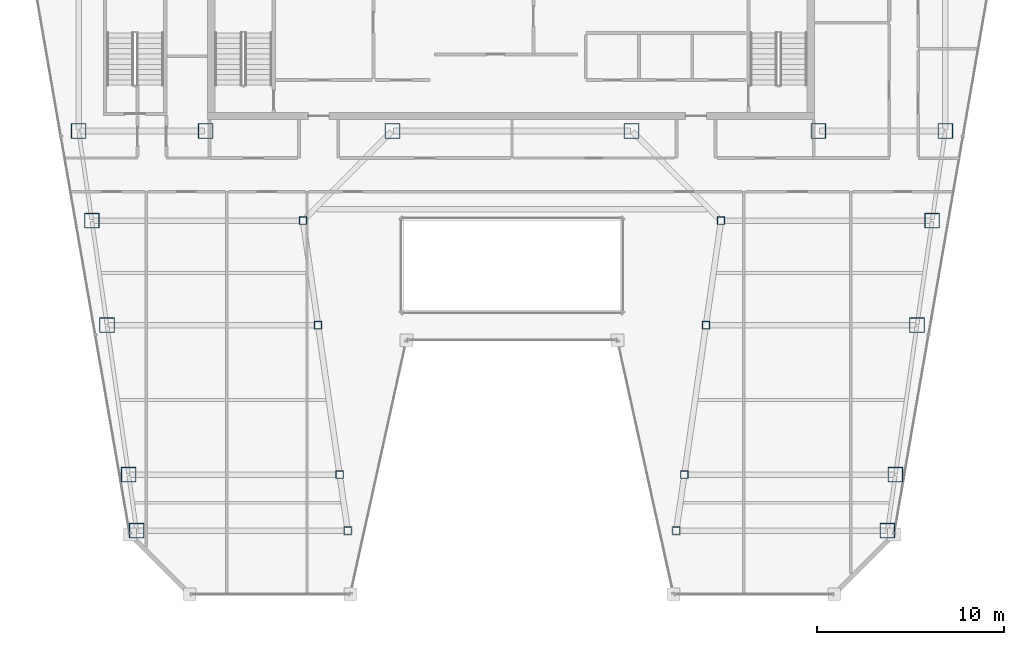
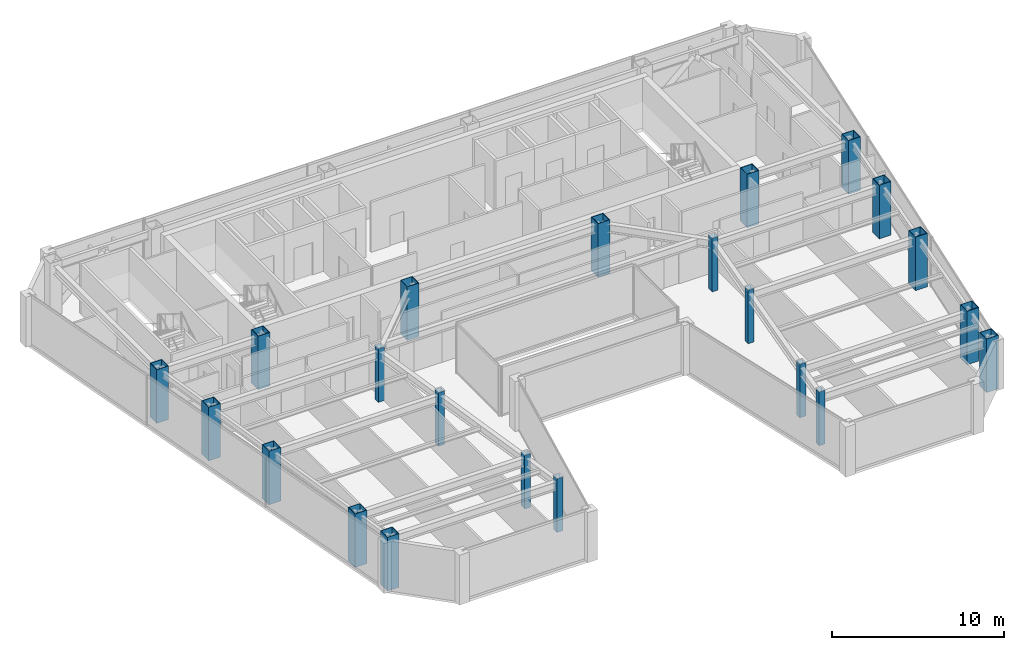
# One storey, part 1 of 33: 22 columns.
"""IFC4 building model written with IfcOpenShell, lengths in metres."""

from ifc_helpers import new_model, si_unit, direction, frame, origin, origin_2d, place, context, subcontext, project, spatial, hollow_rectangle, extrude, material, material_profile, profile_set, type_object, element, save


model = new_model("IFC4")

# Units and contexts
model_context = context("Model", 3, precision=1e-05, world=origin(), true_north=direction((0.0, 1.0)))
body_context = subcontext(model_context, "Body", "Model", "MODEL_VIEW")
ifc_project = project(units=[si_unit("LENGTHUNIT", "METRE"), si_unit("AREAUNIT", "SQUARE_METRE"), si_unit("VOLUMEUNIT", "CUBIC_METRE"), si_unit("PLANEANGLEUNIT", "RADIAN"), si_unit("MASSUNIT", "GRAM", prefix="KILO")], contexts=[model_context])

# Site, building, storey
site_placement = place(None, origin())
site = spatial("IfcSite", under=ifc_project, at=site_placement, CompositionType="ELEMENT")
building_placement = place(site_placement, origin())
building = spatial("IfcBuilding", under=site, at=building_placement, Name="Saevonmaru Cultural Tower", CompositionType="ELEMENT")
storey_placement = place(building_placement, frame((0.0, 0.0, 234.39990234375)))
storey = spatial("IfcBuildingStorey", under=building, at=storey_placement, Name="L54", CompositionType="ELEMENT", Elevation=234.39990234375)

# Columns
ifc_material_1 = material(Name="Steel SM420", Category="steel")
ifc_material_profile_1 = material_profile(ifc_material_1, hollow_rectangle(XDim=0.800048828125, YDim=0.800048828125, WallThickness=0.035888671875, at=origin_2d()), Name="BOX-800x800x36")
ifc_profile_set_1 = profile_set([ifc_material_profile_1], Name="Steel SM420")
column_type_1 = type_object("IfcColumnType", Name="COL-BOX-800", PredefinedType="COLUMN", material=ifc_profile_set_1)
for number, where, z_axis, x_axis, name in (
    (1, (6.800048828125, 42.39990234375, 0.0), (0.0, 0.0, 1.0), (1.0, 0.0, 0.0), "L54 Column TC-S1C"),
    (2, (13.60009765625, 42.39990234375, 0.0), (0.0, 0.0, 1.0), (1.0, 0.0, 0.0), "L54 Column TC-S2C"),
    (3, (23.60009765625, 42.39990234375, 0.0), (0.0, 0.0, 1.0), (1.0, 0.0, 0.0), "L54 Column TC-S3C"),
    (4, (36.39990234375, 42.39990234375, 0.0), (0.0, 0.0, 1.0), (1.0, 0.0, 0.0), "L54 Column TC-S4C"),
    (5, (46.39990234375, 42.39990234375, 0.0), (0.0, 0.0, 1.0), (1.0, 0.0, 0.0), "L54 Column TC-S5C"),
    (6, (53.199951171875, 42.39990234375, 0.0), (0.0, 0.0, 1.0), (1.0, 0.0, 0.0), "L54 Column TC-S6C"),
    (7, (9.906005859375, 21.0, 0.0), (0.0, 0.0, 1.0), (1.0, 0.0, 0.0), "L54 Column TC-WO-Y210"),
    (8, (50.093994140625, 21.0, 0.0), (0.0, 0.0, 1.0), (1.0, 0.0, 0.0), "L54 Column TC-EO-Y210"),
    (9, (9.471923828125, 24.0, 0.0), (0.0, 0.0, 1.0), (1.0, 0.0, 0.0), "L54 Column TC-WO-Y240"),
    (10, (50.528076171875, 24.0, 0.0), (0.0, 0.0, 1.0), (1.0, 0.0, 0.0), "L54 Column TC-EO-Y240"),
    (11, (8.31689453125, 32.0, 0.0), (0.0, 0.0, 1.0), (1.0, 0.0, 0.0), "L54 Column TC-WO-Y320"),
    (12, (51.68310546875, 32.0, 0.0), (0.0, 0.0, 1.0), (1.0, 0.0, 0.0), "L54 Column TC-EO-Y320"),
    (13, (7.508056640625, 37.60009765625, 0.0), (0.0, 0.0, 1.0), (1.0, 0.0, 0.0), "L54 Column TC-WO-Y376"),
    (14, (52.491943359375, 37.60009765625, 0.0), (0.0, 0.0, 1.0), (1.0, 0.0, 0.0), "L54 Column TC-EO-Y376"),
):
    element("IfcColumn", number, at=place(storey_placement, frame(where, z_axis=z_axis, x_axis=x_axis)), inside=storey, type_object=column_type_1, Name=name, PredefinedType="COLUMN", context=body_context, shape_type="SweptSolid", body=[
        extrude(hollow_rectangle(XDim=0.800048828125, YDim=0.800048828125, WallThickness=0.035888671875, at=origin_2d()), origin(), (0.0, 0.0, 1.0), 3.800048828125),
    ])
ifc_material_2 = material(Name="Steel SM355", Category="steel")
ifc_material_profile_2 = material_profile(ifc_material_2, hollow_rectangle(XDim=0.39990234375, YDim=0.39990234375, WallThickness=0.01611328125, at=origin_2d()), Name="SHS-400x400x16")
ifc_profile_set_2 = profile_set([ifc_material_profile_2], Name="Steel SM355")
column_type_2 = type_object("IfcColumnType", Name="COL-SHS-400", PredefinedType="COLUMN", material=ifc_profile_set_2)
for number, where, z_axis, x_axis, name in (
    (15, (21.2060546875, 21.0, 0.0), (0.0, 0.0, 1.0), (1.0, 0.0, 0.0), "L54 Column TC-WI-Y210"),
    (16, (38.7939453125, 21.0, 0.0), (0.0, 0.0, 1.0), (1.0, 0.0, 0.0), "L54 Column TC-EI-Y210"),
    (17, (20.77197265625, 24.0, 0.0), (0.0, 0.0, 1.0), (1.0, 0.0, 0.0), "L54 Column TC-WI-Y240"),
    (18, (39.22802734375, 24.0, 0.0), (0.0, 0.0, 1.0), (1.0, 0.0, 0.0), "L54 Column TC-EI-Y240"),
    (19, (19.616943359375, 32.0, 0.0), (0.0, 0.0, 1.0), (1.0, 0.0, 0.0), "L54 Column TC-WI-Y320"),
    (20, (40.383056640625, 32.0, 0.0), (0.0, 0.0, 1.0), (1.0, 0.0, 0.0), "L54 Column TC-EI-Y320"),
    (21, (18.80810546875, 37.60009765625, 0.0), (0.0, 0.0, 1.0), (1.0, 0.0, 0.0), "L54 Column TC-WI-Y376"),
    (22, (41.19189453125, 37.60009765625, 0.0), (0.0, 0.0, 1.0), (1.0, 0.0, 0.0), "L54 Column TC-EI-Y376"),
):
    element("IfcColumn", number, at=place(storey_placement, frame(where, z_axis=z_axis, x_axis=x_axis)), inside=storey, type_object=column_type_2, Name=name, PredefinedType="COLUMN", context=body_context, shape_type="SweptSolid", body=[
        extrude(hollow_rectangle(XDim=0.39990234375, YDim=0.39990234375, WallThickness=0.01611328125, at=origin_2d()), origin(), (0.0, 0.0, 1.0), 3.800048828125),
    ])

save(model, "model.ifc")
